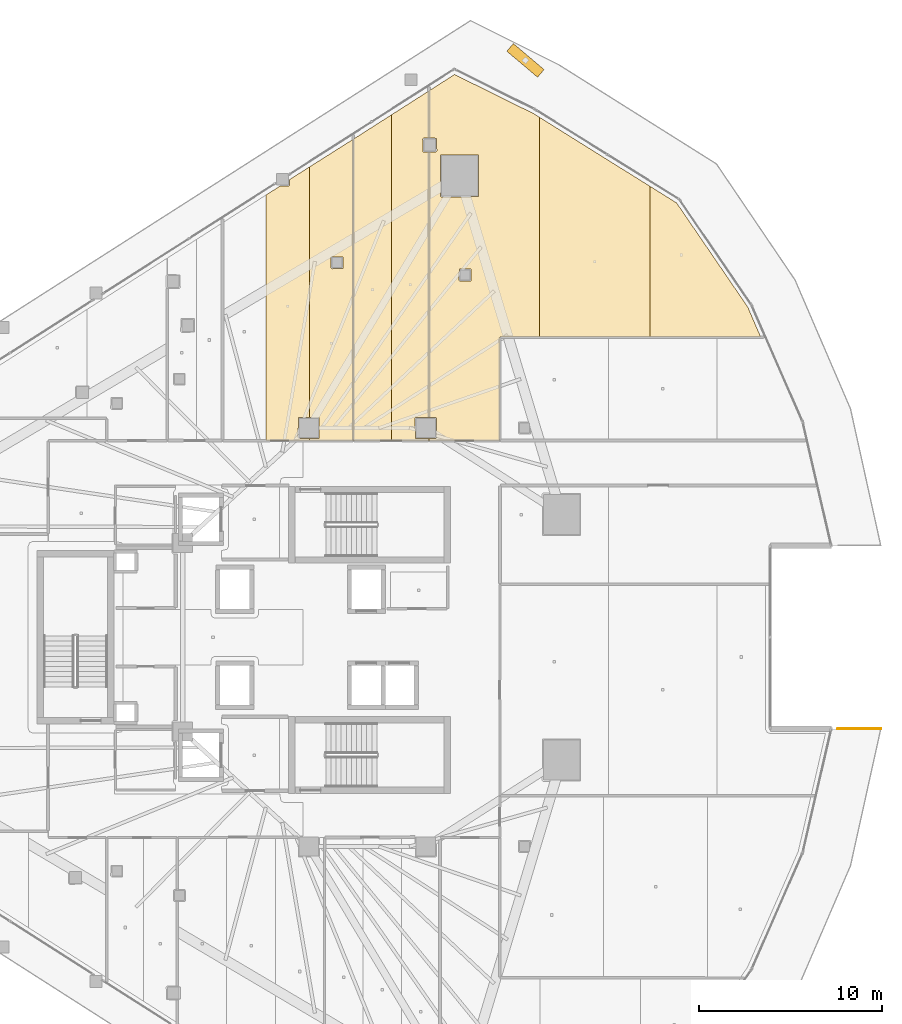
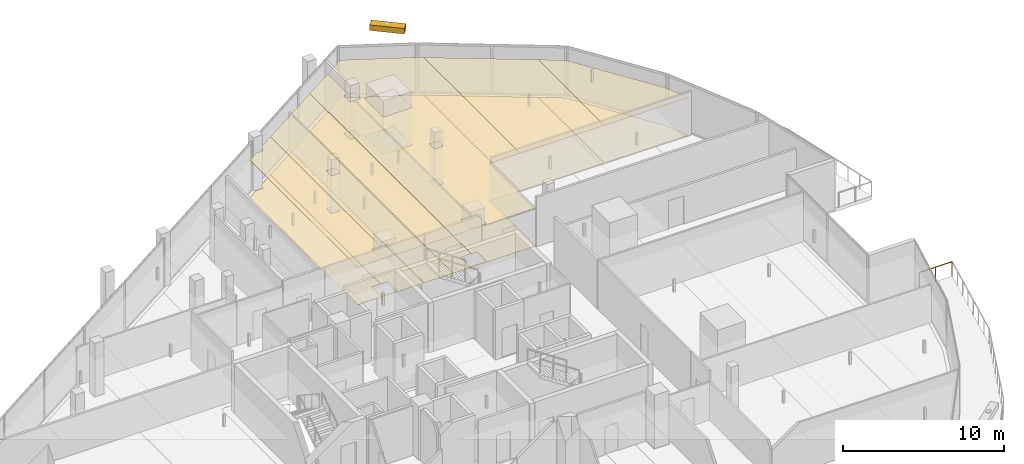
# One storey, part 44 of 44: 14 coverings, 1 railing, 1 shading device.
"""IFC4 building model written with IfcOpenShell, lengths in metres."""

from ifc_helpers import new_model, si_unit, direction, frame, origin, origin_2d, place, context, subcontext, project, spatial, polyline, rectangle, circle, outline, extrude, material, layer, layer_set, type_object, element, save


model = new_model("IFC4")

# Units and contexts
model_context = context("Model", 3, precision=1e-05, world=origin(), true_north=direction((0.0, 1.0)))
body_context = subcontext(model_context, "Body", "Model", "MODEL_VIEW")
ifc_project = project(units=[si_unit("LENGTHUNIT", "METRE"), si_unit("AREAUNIT", "SQUARE_METRE"), si_unit("VOLUMEUNIT", "CUBIC_METRE"), si_unit("PLANEANGLEUNIT", "RADIAN"), si_unit("MASSUNIT", "GRAM", prefix="KILO")], contexts=[model_context])

# Site, building, storey
site_placement = place(None, origin())
site = spatial("IfcSite", under=ifc_project, at=site_placement, CompositionType="ELEMENT")
building_placement = place(site_placement, origin())
building = spatial("IfcBuilding", under=site, at=building_placement, Name="Qorvath Tower", CompositionType="ELEMENT")
storey_placement = place(building_placement, frame((0.0, 0.0, 113.85009765625)))
storey = spatial("IfcBuildingStorey", under=building, at=storey_placement, Name="L25", CompositionType="ELEMENT", Elevation=113.85009765625)

# Coverings
ifc_material_1 = material(Name="Acoustic mineral fibre ceiling tile", Category="gypsum")
ifc_layer_1 = layer(ifc_material_1, 0.030029296875)
ifc_layer_set_1 = layer_set([ifc_layer_1], Name="COV-CEIL")
covering_type_1 = type_object("IfcCoveringType", Name="COV-CEIL", PredefinedType="CEILING", material=ifc_layer_set_1)
covering_1_placement = place(storey_placement, frame((0.0, 0.0, 2.849853515625)))
element("IfcCovering", 1, at=covering_1_placement, inside=storey, type_object=covering_type_1, Name="L25 Suspended Acoustic Ceiling 016", PredefinedType="CEILING", context=body_context, shape_type="SweptSolid", body=[
    extrude(outline(polyline([(-23.554931640625, 10.762939453125), (-23.554931640625, 10.874267578125), (-24.125, 10.864990234375), (-24.18505859375, 10.925048828125), (-24.16748046875, 12.017333984375), (-23.554931640625, 12.017333984375), (-23.554931640625, 25.735107421875), (-24.652587890625, 25.040771484375), (-24.670166015625, 24.69140625), (-25.190185546875, 24.673828125), (-25.9365234375, 24.19677734375), (-25.9365234375, 10.762939453125), (-23.554931640625, 10.762939453125)])), origin(), (0.0, 0.0, 1.0), 0.030029296875),
])
covering_2_placement = place(storey_placement, frame((0.0, 0.0, 2.849853515625)))
element("IfcCovering", 2, at=covering_2_placement, inside=storey, type_object=covering_type_1, Name="L25 Suspended Acoustic Ceiling 017", PredefinedType="CEILING", context=body_context, shape_type="SweptSolid", body=[
    extrude(outline(polyline([(-21.173095703125, 10.762939453125), (-21.176513671875, 27.239501953125), (-23.554931640625, 25.735107421875), (-23.554931640625, 12.017333984375), (-23.032470703125, 12.017333984375), (-23.032470703125, 10.882568359375), (-23.554931640625, 10.874267578125), (-23.554931640625, 10.762939453125), (-21.173095703125, 10.762939453125)]), holes=[polyline([(-22.38818359375, 20.219970703125), (-22.37060546875, 20.812255859375), (-21.73583984375, 20.812255859375), (-21.73583984375, 20.177490234375), (-22.328125, 20.159912109375), (-22.38818359375, 20.219970703125)])]), origin(), (0.0, 0.0, 1.0), 0.030029296875),
])
covering_3_placement = place(storey_placement, frame((0.0, 0.0, 2.849853515625)))
element("IfcCovering", 3, at=covering_3_placement, inside=storey, type_object=covering_type_1, Name="L25 Suspended Acoustic Ceiling 018", PredefinedType="CEILING", context=body_context, shape_type="SweptSolid", body=[
    extrude(outline(polyline([(-19.071533203125, 10.762939453125), (-19.071533203125, 28.58447265625), (-21.158447265625, 27.250732421875), (-21.155029296875, 10.762939453125), (-19.071533203125, 10.762939453125)])), origin(), (0.0, 0.0, 1.0), 0.030029296875),
])
covering_4_placement = place(storey_placement, frame((0.0, 0.0, 2.849853515625)))
element("IfcCovering", 4, at=covering_4_placement, inside=storey, type_object=covering_type_1, Name="L25 Suspended Acoustic Ceiling 019", PredefinedType="CEILING", context=body_context, shape_type="SweptSolid", body=[
    extrude(outline(polyline([(-17.72509765625, 12.034912109375), (-17.03662109375, 12.034912109375), (-17.03662109375, 26.544189453125), (-17.3486328125, 26.561767578125), (-17.3662109375, 27.254150390625), (-17.30615234375, 27.314208984375), (-17.03662109375, 27.314208984375), (-17.03662109375, 29.885009765625), (-19.071533203125, 28.58447265625), (-19.071533203125, 10.762939453125), (-17.03662109375, 10.762939453125), (-17.03662109375, 10.864990234375), (-17.767333984375, 10.882568359375), (-17.784912109375, 11.97509765625), (-17.72509765625, 12.034912109375)])), origin(), (0.0, 0.0, 1.0), 0.030029296875),
])
covering_5_placement = place(storey_placement, frame((0.0, 0.0, 2.849853515625)))
element("IfcCovering", 5, at=covering_5_placement, inside=storey, type_object=covering_type_1, Name="L25 Suspended Acoustic Ceiling 020", PredefinedType="CEILING", context=body_context, shape_type="SweptSolid", body=[
    extrude(outline(polyline([(-10.971923828125, 16.4208984375), (-10.971923828125, 28.441162109375), (-11.31396484375, 28.65478515625), (-15.62451171875, 30.78759765625), (-17.0185546875, 29.896484375), (-17.0185546875, 27.314208984375), (-16.61376953125, 27.296630859375), (-16.59619140625, 26.604248046875), (-16.65625, 26.544189453125), (-17.0185546875, 26.544189453125), (-17.0185546875, 12.034912109375), (-16.675048828125, 12.034912109375), (-16.614990234375, 11.97509765625), (-16.614990234375, 10.925048828125), (-16.675048828125, 10.864990234375), (-17.0185546875, 10.864990234375), (-17.0185546875, 10.762939453125), (-13.155029296875, 10.762939453125), (-13.14990234375, 16.420166015625), (-10.971923828125, 16.4208984375)]), holes=[polyline([(-16.404296875, 24.14599609375), (-16.38671875, 26.388427734375), (-14.3017578125, 26.388427734375), (-14.3017578125, 24.103759765625), (-16.34423828125, 24.086181640625), (-16.404296875, 24.14599609375)]), polyline([(-15.381103515625, 19.543212890625), (-15.363525390625, 20.135498046875), (-14.728759765625, 20.135498046875), (-14.728759765625, 19.500732421875), (-15.321044921875, 19.483154296875), (-15.381103515625, 19.543212890625)])]), origin(), (0.0, 0.0, 1.0), 0.030029296875),
])
covering_6_placement = place(storey_placement, frame((0.0, 0.0, 2.849853515625)))
element("IfcCovering", 6, at=covering_6_placement, inside=storey, type_object=covering_type_1, Name="L25 Suspended Acoustic Ceiling 021", PredefinedType="CEILING", context=body_context, shape_type="SweptSolid", body=[
    extrude(outline(polyline([(-4.925048828125, 16.423583984375), (-4.925048828125, 24.665771484375), (-10.971923828125, 28.441162109375), (-10.971923828125, 16.4208984375), (-4.925048828125, 16.423583984375)])), origin(), (0.0, 0.0, 1.0), 0.030029296875),
])
covering_7_placement = place(storey_placement, frame((0.0, 0.0, 2.849853515625)))
element("IfcCovering", 7, at=covering_7_placement, inside=storey, type_object=covering_type_1, Name="L25 Suspended Acoustic Ceiling 022", PredefinedType="CEILING", context=body_context, shape_type="SweptSolid", body=[
    extrude(outline(polyline([(-3.474853515625, 23.760498046875), (-4.925048828125, 24.665771484375), (-4.925048828125, 16.423583984375), (1.12158203125, 16.426025390625), (0.4150390625, 18.068115234375), (-3.474853515625, 23.760498046875)])), origin(), (0.0, 0.0, 1.0), 0.030029296875),
])
ifc_material_2 = material(Name="Low-VOC modular carpet tile", Category="textile")
ifc_layer_2 = layer(ifc_material_2, 0.014892578125)
ifc_layer_set_2 = layer_set([ifc_layer_2], Name="COV-FLOOR-CPT")
covering_type_2 = type_object("IfcCoveringType", Name="COV-FLOOR-CPT", PredefinedType="FLOORING", material=ifc_layer_set_2)
covering_8_placement = place(storey_placement, origin())
element("IfcCovering", 8, at=covering_8_placement, inside=storey, type_object=covering_type_2, Name="L25 Floor Finish 016", PredefinedType="FLOORING", context=body_context, shape_type="SweptSolid", body=[
    extrude(outline(polyline([(-23.554931640625, 10.762939453125), (-23.554931640625, 10.874267578125), (-24.125, 10.864990234375), (-24.18505859375, 10.925048828125), (-24.16748046875, 12.017333984375), (-23.554931640625, 12.017333984375), (-23.554931640625, 25.735107421875), (-24.652587890625, 25.040771484375), (-24.670166015625, 24.69140625), (-25.190185546875, 24.673828125), (-25.9365234375, 24.19677734375), (-25.9365234375, 10.762939453125), (-23.554931640625, 10.762939453125)])), origin(), (0.0, 0.0, 1.0), 0.014892578125),
])
covering_9_placement = place(storey_placement, origin())
element("IfcCovering", 9, at=covering_9_placement, inside=storey, type_object=covering_type_2, Name="L25 Floor Finish 017", PredefinedType="FLOORING", context=body_context, shape_type="SweptSolid", body=[
    extrude(outline(polyline([(-21.173095703125, 10.762939453125), (-21.176513671875, 27.239501953125), (-23.554931640625, 25.735107421875), (-23.554931640625, 12.017333984375), (-23.032470703125, 12.017333984375), (-23.032470703125, 10.882568359375), (-23.554931640625, 10.874267578125), (-23.554931640625, 10.762939453125), (-21.173095703125, 10.762939453125)]), holes=[polyline([(-22.38818359375, 20.219970703125), (-22.37060546875, 20.812255859375), (-21.73583984375, 20.812255859375), (-21.73583984375, 20.177490234375), (-22.328125, 20.159912109375), (-22.38818359375, 20.219970703125)])]), origin(), (0.0, 0.0, 1.0), 0.014892578125),
])
covering_10_placement = place(storey_placement, origin())
element("IfcCovering", 10, at=covering_10_placement, inside=storey, type_object=covering_type_2, Name="L25 Floor Finish 018", PredefinedType="FLOORING", context=body_context, shape_type="SweptSolid", body=[
    extrude(outline(polyline([(-19.071533203125, 10.762939453125), (-19.071533203125, 28.58447265625), (-21.158447265625, 27.250732421875), (-21.155029296875, 10.762939453125), (-19.071533203125, 10.762939453125)])), origin(), (0.0, 0.0, 1.0), 0.014892578125),
])
covering_11_placement = place(storey_placement, origin())
element("IfcCovering", 11, at=covering_11_placement, inside=storey, type_object=covering_type_2, Name="L25 Floor Finish 019", PredefinedType="FLOORING", context=body_context, shape_type="SweptSolid", body=[
    extrude(outline(polyline([(-17.72509765625, 12.034912109375), (-17.03662109375, 12.034912109375), (-17.03662109375, 26.544189453125), (-17.3486328125, 26.561767578125), (-17.3662109375, 27.254150390625), (-17.30615234375, 27.314208984375), (-17.03662109375, 27.314208984375), (-17.03662109375, 29.885009765625), (-19.071533203125, 28.58447265625), (-19.071533203125, 10.762939453125), (-17.03662109375, 10.762939453125), (-17.03662109375, 10.864990234375), (-17.767333984375, 10.882568359375), (-17.784912109375, 11.97509765625), (-17.72509765625, 12.034912109375)])), origin(), (0.0, 0.0, 1.0), 0.014892578125),
])
covering_12_placement = place(storey_placement, origin())
element("IfcCovering", 12, at=covering_12_placement, inside=storey, type_object=covering_type_2, Name="L25 Floor Finish 020", PredefinedType="FLOORING", context=body_context, shape_type="SweptSolid", body=[
    extrude(outline(polyline([(-10.971923828125, 16.4208984375), (-10.971923828125, 28.441162109375), (-11.31396484375, 28.65478515625), (-15.62451171875, 30.78759765625), (-17.0185546875, 29.896484375), (-17.0185546875, 27.314208984375), (-16.61376953125, 27.296630859375), (-16.59619140625, 26.604248046875), (-16.65625, 26.544189453125), (-17.0185546875, 26.544189453125), (-17.0185546875, 12.034912109375), (-16.675048828125, 12.034912109375), (-16.614990234375, 11.97509765625), (-16.614990234375, 10.925048828125), (-16.675048828125, 10.864990234375), (-17.0185546875, 10.864990234375), (-17.0185546875, 10.762939453125), (-13.155029296875, 10.762939453125), (-13.14990234375, 16.420166015625), (-10.971923828125, 16.4208984375)]), holes=[polyline([(-16.404296875, 24.14599609375), (-16.38671875, 26.388427734375), (-14.3017578125, 26.388427734375), (-14.3017578125, 24.103759765625), (-16.34423828125, 24.086181640625), (-16.404296875, 24.14599609375)]), polyline([(-15.381103515625, 19.543212890625), (-15.363525390625, 20.135498046875), (-14.728759765625, 20.135498046875), (-14.728759765625, 19.500732421875), (-15.321044921875, 19.483154296875), (-15.381103515625, 19.543212890625)])]), origin(), (0.0, 0.0, 1.0), 0.014892578125),
])
covering_13_placement = place(storey_placement, origin())
element("IfcCovering", 13, at=covering_13_placement, inside=storey, type_object=covering_type_2, Name="L25 Floor Finish 021", PredefinedType="FLOORING", context=body_context, shape_type="SweptSolid", body=[
    extrude(outline(polyline([(-4.925048828125, 16.423583984375), (-4.925048828125, 24.665771484375), (-10.971923828125, 28.441162109375), (-10.971923828125, 16.4208984375), (-4.925048828125, 16.423583984375)])), origin(), (0.0, 0.0, 1.0), 0.014892578125),
])
covering_14_placement = place(storey_placement, origin())
element("IfcCovering", 14, at=covering_14_placement, inside=storey, type_object=covering_type_2, Name="L25 Floor Finish 022", PredefinedType="FLOORING", context=body_context, shape_type="SweptSolid", body=[
    extrude(outline(polyline([(-3.474853515625, 23.760498046875), (-4.925048828125, 24.665771484375), (-4.925048828125, 16.423583984375), (1.12158203125, 16.426025390625), (0.4150390625, 18.068115234375), (-3.474853515625, 23.760498046875)])), origin(), (0.0, 0.0, 1.0), 0.014892578125),
])

# Railing
ifc_material_3 = material(Name="Laminated safety glass and stainless steel AISI 316", Category="steel")
railing_type = type_object("IfcRailingType", Name="RL-EXT-GRD", PredefinedType="GUARDRAIL", material=ifc_material_3)
railing_placement = place(storey_placement, frame((5.339111328125, -5.01123046875, 0.0)))
element("IfcRailing", 15, at=railing_placement, inside=storey, type_object=railing_type, Name="Loggia Perimeter Guardrail L25-1.2", PredefinedType="GUARDRAIL", context=body_context, shape_type="SweptSolid", body=[
    extrude(circle(Radius=0.02392578125, at=origin_2d()), frame((0.0, 0.0, 1.09619140625), z_axis=(1.0, 0.0, 0.0), x_axis=(0.0, 1.0, 0.0)), (0.0, 0.0, 1.0), 2.366455078125),
    extrude(circle(Radius=0.02099609375, at=origin_2d()), origin(), (0.0, 0.0, 1.0), 1.072021484375),
    extrude(circle(Radius=0.02099609375, at=origin_2d()), frame((1.18310546875, 0.0, 0.0)), (0.0, 0.0, 1.0), 1.072021484375),
    extrude(circle(Radius=0.02099609375, at=origin_2d()), frame((2.366455078125, 0.0, 0.0)), (0.0, 0.0, 1.0), 1.072021484375),
])

# Shading device
ifc_material_4 = material(Name="Anodised bronze-champagne aluminium", Category="aluminium")
shading_device_type = type_object("IfcShadingDeviceType", Name="SD-LOUVRE", PredefinedType="JALOUSIE", material=ifc_material_4)
shading_device_placement = place(storey_placement, frame((-11.746826171875, 31.559814453125, 3.35009765625), z_axis=(0.0, 0.0, 1.0), x_axis=(-0.763708151735, 0.645561661636, 0.0)))
element("IfcShadingDevice", 16, at=shading_device_placement, inside=storey, type_object=shading_device_type, Name="Sinusoidal Wave Louvre Blade L25-03", PredefinedType="NOTDEFINED", context=body_context, shape_type="SweptSolid", body=[
    extrude(rectangle(XDim=2.199951171875, YDim=0.550048828125, at=origin_2d()), origin(), (0.0, 0.0, 1.0), 0.419921875),
])

save(model, "model.ifc")
